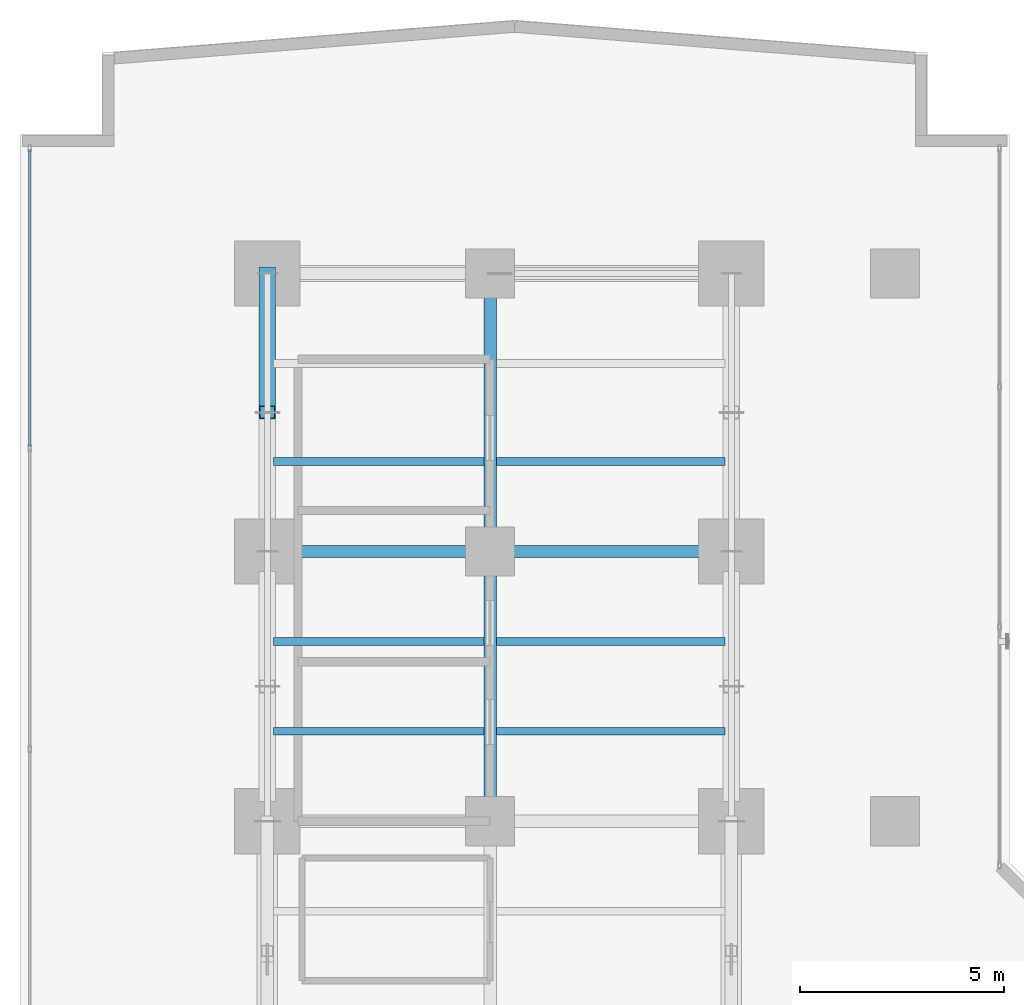
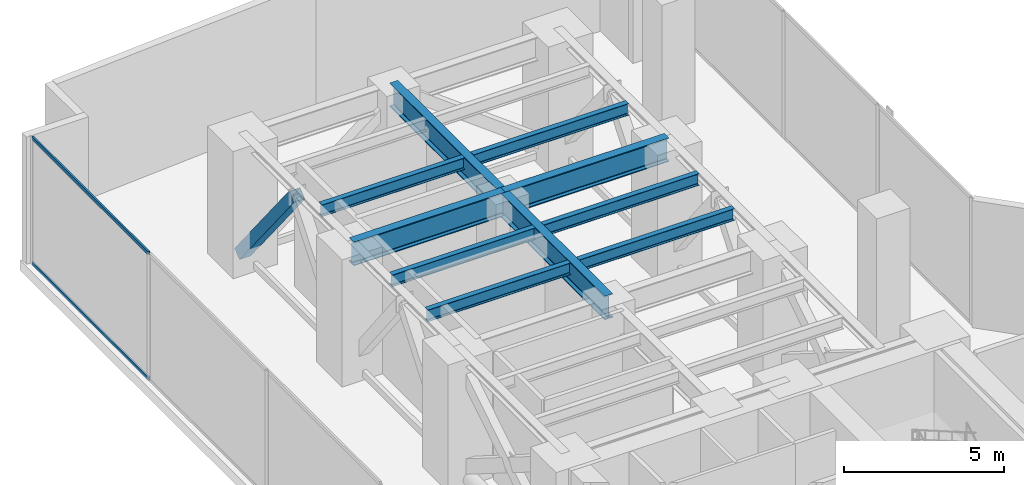
# One storey, part 23 of 36: 10 beams, 3 members, 1 element without a shape of its own.
"""IFC4 building model written with IfcOpenShell, lengths in metres."""

from ifc_helpers import new_model, si_unit, direction, frame, origin, origin_with_axes, origin_2d, place, context, subcontext, project, spatial, hollow_rectangle, i_section, extrude, source, transform, mapped, material, layer, layer_set, material_profile, profile_set, type_object, element, aggregate, save


model = new_model("IFC4")

# Units and contexts
model_context = context("Model", 3, precision=1e-05, world=origin(), true_north=direction((0.0, 1.0)))
body_context = subcontext(model_context, "Body", "Model", "MODEL_VIEW")
ifc_project = project(units=[si_unit("LENGTHUNIT", "METRE"), si_unit("AREAUNIT", "SQUARE_METRE"), si_unit("VOLUMEUNIT", "CUBIC_METRE"), si_unit("PLANEANGLEUNIT", "RADIAN"), si_unit("MASSUNIT", "GRAM", prefix="KILO")], contexts=[model_context])

# Site, building, storey
site_placement = place(None, origin())
site = spatial("IfcSite", under=ifc_project, at=site_placement, CompositionType="ELEMENT")
building_placement = place(site_placement, origin())
building = spatial("IfcBuilding", under=site, at=building_placement, Name="Kolvaren Waterfront Exchange", CompositionType="ELEMENT")
storey_placement = place(building_placement, frame((0.0, 0.0, 82.800048828125)))
storey = spatial("IfcBuildingStorey", under=building, at=storey_placement, Name="L21", CompositionType="ELEMENT", Elevation=82.800048828125)

# Beams
ifc_material_1 = material(Name="Steel S355", Category="steel")
ifc_material_profile_1 = material_profile(ifc_material_1, i_section(OverallWidth=0.300048828125, OverallDepth=0.89990234375, WebThickness=0.0185546875, FlangeThickness=0.034912109375, FilletRadius=0.030029296875, at=origin_2d()), Name="HEB900")
ifc_profile_set_1 = profile_set([ifc_material_profile_1], Name="Steel S355")
beam_type_1 = type_object("IfcBeamType", Name="STR-BM-HEB900", PredefinedType="BEAM", material=ifc_profile_set_1)
beam_1_placement = place(storey_placement, frame((7.449951171875, 37.800048828125, 4.389892578125), z_axis=(1.0, 0.0, 0.0), x_axis=(0.0, 1.0, 0.0)))
element("IfcBeam", 1, at=beam_1_placement, inside=storey, type_object=beam_type_1, Name="L21 north-arm girder 3A", PredefinedType="BEAM", context=body_context, shape_type="SweptSolid", body=[
    extrude(i_section(OverallWidth=0.300048828125, OverallDepth=0.89990234375, WebThickness=0.0185546875, FlangeThickness=0.034912109375, FilletRadius=0.030029296875, at=origin_2d()), origin(), (0.0, 0.0, 1.0), 5.449951171875),
])
beam_2_placement = place(storey_placement, frame((12.89990234375, 37.800048828125, 4.389892578125), z_axis=(1.0, 0.0, 0.0), x_axis=(0.0, 1.0, 0.0)))
element("IfcBeam", 2, at=beam_2_placement, inside=storey, type_object=beam_type_1, Name="L21 north-arm girder 3B", PredefinedType="BEAM", context=body_context, shape_type="SweptSolid", body=[
    extrude(i_section(OverallWidth=0.300048828125, OverallDepth=0.89990234375, WebThickness=0.0185546875, FlangeThickness=0.034912109375, FilletRadius=0.030029296875, at=origin_2d()), origin(), (0.0, 0.0, 1.0), 5.900146484375),
])
beam_3_placement = place(storey_placement, frame((12.89990234375, 31.199951171875, 4.389892578125), z_axis=(0.0, 1.0, 0.0), x_axis=(-1.0, 0.0, 0.0)))
element("IfcBeam", 3, at=beam_3_placement, inside=storey, type_object=beam_type_1, Name="L21 north-arm edge beam 2", PredefinedType="BEAM", context=body_context, shape_type="SweptSolid", body=[
    extrude(i_section(OverallWidth=0.300048828125, OverallDepth=0.89990234375, WebThickness=0.0185546875, FlangeThickness=0.034912109375, FilletRadius=0.030029296875, at=origin_2d()), origin(), (0.0, 0.0, 1.0), 6.60009765625),
])
beam_4_placement = place(storey_placement, frame((12.89990234375, 37.800048828125, 4.389892578125), z_axis=(0.0, 1.0, 0.0), x_axis=(-1.0, 0.0, 0.0)))
element("IfcBeam", 4, at=beam_4_placement, inside=storey, type_object=beam_type_1, Name="L21 north-arm edge beam 3", PredefinedType="BEAM", context=body_context, shape_type="SweptSolid", body=[
    extrude(i_section(OverallWidth=0.300048828125, OverallDepth=0.89990234375, WebThickness=0.0185546875, FlangeThickness=0.034912109375, FilletRadius=0.030029296875, at=origin_2d()), origin(), (0.0, 0.0, 1.0), 6.800048828125),
])
ifc_material_profile_2 = material_profile(ifc_material_1, i_section(OverallWidth=0.18994140625, OverallDepth=0.449951171875, WebThickness=0.009521484375, FlangeThickness=0.0146484375, FilletRadius=0.02099609375, at=origin_2d()), Name="IPE450")
ifc_profile_set_2 = profile_set([ifc_material_profile_2], Name="Steel S355")
beam_type_2 = type_object("IfcBeamType", Name="STR-BM-IPE450", PredefinedType="JOIST", material=ifc_profile_set_2)
beam_5_placement = place(storey_placement, frame((7.60205078125, 33.39990234375, 4.614990234375), z_axis=(1.0, 0.0, 0.0), x_axis=(0.0, 1.0, 0.0)))
element("IfcBeam", 5, at=beam_5_placement, inside=storey, type_object=beam_type_2, Name="L21 north-arm composite joist 3A", PredefinedType="JOIST", context=body_context, shape_type="SweptSolid", body=[
    extrude(i_section(OverallWidth=0.18994140625, OverallDepth=0.449951171875, WebThickness=0.009521484375, FlangeThickness=0.0146484375, FilletRadius=0.02099609375, at=origin_2d()), origin(), (0.0, 0.0, 1.0), 5.14599609375),
])
beam_6_placement = place(storey_placement, frame((13.052001953125, 33.39990234375, 4.614990234375), z_axis=(1.0, 0.0, 0.0), x_axis=(0.0, 1.0, 0.0)))
element("IfcBeam", 6, at=beam_6_placement, inside=storey, type_object=beam_type_2, Name="L21 north-arm composite joist 3B", PredefinedType="JOIST", context=body_context, shape_type="SweptSolid", body=[
    extrude(i_section(OverallWidth=0.18994140625, OverallDepth=0.449951171875, WebThickness=0.009521484375, FlangeThickness=0.0146484375, FilletRadius=0.02099609375, at=origin_2d()), origin(), (0.0, 0.0, 1.0), 5.595947265625),
])
beam_7_placement = place(storey_placement, frame((7.60205078125, 35.60009765625, 4.614990234375), z_axis=(1.0, 0.0, 0.0), x_axis=(0.0, 1.0, 0.0)))
element("IfcBeam", 7, at=beam_7_placement, inside=storey, type_object=beam_type_2, Name="L21 north-arm composite joist 4A", PredefinedType="JOIST", context=body_context, shape_type="SweptSolid", body=[
    extrude(i_section(OverallWidth=0.18994140625, OverallDepth=0.449951171875, WebThickness=0.009521484375, FlangeThickness=0.0146484375, FilletRadius=0.02099609375, at=origin_2d()), origin(), (0.0, 0.0, 1.0), 5.14599609375),
])
beam_8_placement = place(storey_placement, frame((13.052001953125, 35.60009765625, 4.614990234375), z_axis=(1.0, 0.0, 0.0), x_axis=(0.0, 1.0, 0.0)))
element("IfcBeam", 8, at=beam_8_placement, inside=storey, type_object=beam_type_2, Name="L21 north-arm composite joist 4B", PredefinedType="JOIST", context=body_context, shape_type="SweptSolid", body=[
    extrude(i_section(OverallWidth=0.18994140625, OverallDepth=0.449951171875, WebThickness=0.009521484375, FlangeThickness=0.0146484375, FilletRadius=0.02099609375, at=origin_2d()), origin(), (0.0, 0.0, 1.0), 5.595947265625),
])
beam_9_placement = place(storey_placement, frame((7.60205078125, 40.0, 4.614990234375), z_axis=(1.0, 0.0, 0.0), x_axis=(0.0, 1.0, 0.0)))
element("IfcBeam", 9, at=beam_9_placement, inside=storey, type_object=beam_type_2, Name="L21 north-arm composite joist 5A", PredefinedType="JOIST", context=body_context, shape_type="SweptSolid", body=[
    extrude(i_section(OverallWidth=0.18994140625, OverallDepth=0.449951171875, WebThickness=0.009521484375, FlangeThickness=0.0146484375, FilletRadius=0.02099609375, at=origin_2d()), origin(), (0.0, 0.0, 1.0), 5.14599609375),
])
beam_10_placement = place(storey_placement, frame((13.052001953125, 40.0, 4.614990234375), z_axis=(1.0, 0.0, 0.0), x_axis=(0.0, 1.0, 0.0)))
element("IfcBeam", 10, at=beam_10_placement, inside=storey, type_object=beam_type_2, Name="L21 north-arm composite joist 5B", PredefinedType="JOIST", context=body_context, shape_type="SweptSolid", body=[
    extrude(i_section(OverallWidth=0.18994140625, OverallDepth=0.449951171875, WebThickness=0.009521484375, FlangeThickness=0.0146484375, FilletRadius=0.02099609375, at=origin_2d()), origin(), (0.0, 0.0, 1.0), 5.595947265625),
])

# Member
ifc_material_2 = material(Name="Steel S460", Category="steel")
ifc_material_profile_3 = material_profile(ifc_material_2, hollow_rectangle(XDim=0.39990234375, YDim=0.39990234375, WallThickness=0.02001953125, at=origin_2d()), Name="SHS400x400x20")
ifc_profile_set_3 = profile_set([ifc_material_profile_3], Name="Steel S460")
member_type_1 = type_object("IfcMemberType", Name="STR-BR-SHS400", PredefinedType="BRACE", material=ifc_profile_set_3)
member_1_placement = place(storey_placement, frame((7.449951171875, 44.60009765625, 0.25), z_axis=(0.0, -0.625609465589, 0.780136396129), x_axis=(1.0, 0.0, 0.0)))
element("IfcMember", 11, at=member_1_placement, inside=storey, type_object=member_type_1, Name="L21 belt-truss chevron brace BT5R", PredefinedType="BRACE", context=body_context, shape_type="SweptSolid", body=[
    extrude(hollow_rectangle(XDim=0.39990234375, YDim=0.39990234375, WallThickness=0.02001953125, at=origin_2d()), origin(), (0.0, 0.0, 1.0), 5.434814453125),
])

# Curtain wall, members
ifc_material_3 = material(Name="Anodised dark bronze spandrel aluminium", Category="aluminium")
ifc_layer = layer(ifc_material_3, 0.219970703125, Name="Anodised dark bronze spandrel aluminium")
ifc_layer_set = layer_set([ifc_layer], Name="Anodised dark bronze spandrel aluminium")
curtain_wall_type = type_object("IfcCurtainWallType", Name="ARC-CW-SYS6", PredefinedType="USERDEFINED", material=ifc_layer_set)
curtain_wall_placement = place(storey_placement, origin())
curtain_wall = element("IfcCurtainWall", 12, at=curtain_wall_placement, inside=storey, type_object=curtain_wall_type, Name="L21 stick curtain wall CW6 (CW-L21-W)", ObjectType="STICK CURTAIN WALL", PredefinedType="USERDEFINED")
ifc_material_4 = material(Name="Anodised bronze aluminium 6063-T6", Category="aluminium")
ifc_material_profile_4 = material_profile(ifc_material_4, hollow_rectangle(XDim=0.06494140625, YDim=0.1298828125, WallThickness=0.00390625, at=origin_2d()), Name="ALU-TRN-130x65x4")
ifc_profile_set_4 = profile_set([ifc_material_profile_4], Name="Anodised bronze aluminium 6063-T6")
member_type_2 = type_object("IfcMemberType", Name="ARC-CWT-130", PredefinedType="USERDEFINED", material=ifc_profile_set_4)
shared_shape = source(origin_with_axes(), body_context, "Body", "SweptSolid", [
    extrude(hollow_rectangle(XDim=0.06494140625, YDim=0.1298828125, WallThickness=0.00390625, at=origin_2d()), origin(), (0.0, 0.0, 1.0), 7.254150390625),
])
member_2_placement = place(storey_placement, frame((1.639892578125, 40.370849609375, 0.032470703125), z_axis=(0.0, 1.0, 0.0), x_axis=(-1.0, 0.0, 0.0)))
member_2 = element("IfcMember", 13, at=member_2_placement, type_object=member_type_2, Name="CW6 transom 6.1", ObjectType="TRANSOM", PredefinedType="USERDEFINED", context=body_context, shape_type="MappedRepresentation", body=[
    mapped(shared_shape, transform((0.0, 0.0, 0.0), x_axis=(1.0, 0.0, 0.0), y_axis=(0.0, 1.0, 0.0), z_axis=(0.0, 0.0, 1.0), scale=1.0)),
])
member_3_placement = place(storey_placement, frame((1.639892578125, 40.370849609375, 4.807373046875), z_axis=(0.0, 1.0, 0.0), x_axis=(-1.0, 0.0, 0.0)))
member_3 = element("IfcMember", 14, at=member_3_placement, type_object=member_type_2, Name="CW6 transom 6.2", ObjectType="TRANSOM", PredefinedType="USERDEFINED", context=body_context, shape_type="MappedRepresentation", body=[
    mapped(shared_shape, transform((0.0, 0.0, 0.0), x_axis=(1.0, 0.0, 0.0), y_axis=(0.0, 1.0, 0.0), z_axis=(0.0, 0.0, 1.0), scale=1.0)),
])
aggregate(curtain_wall, [member_2, member_3])

save(model, "model.ifc")
